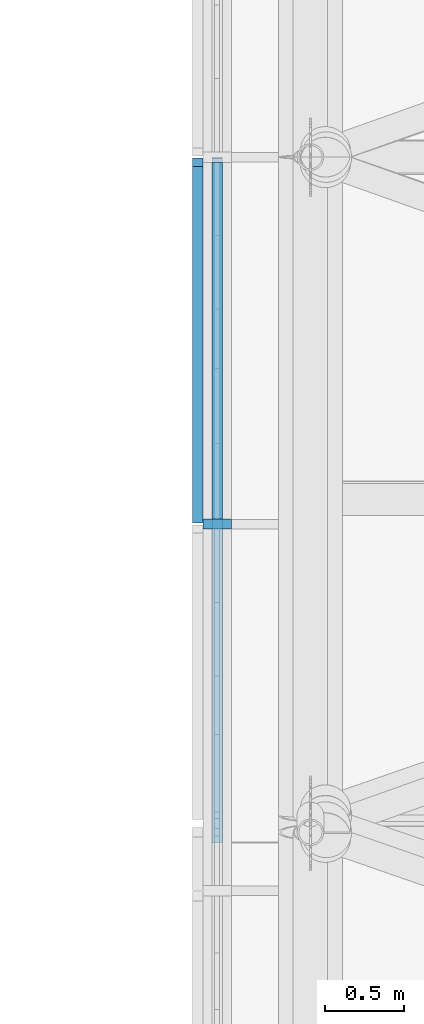
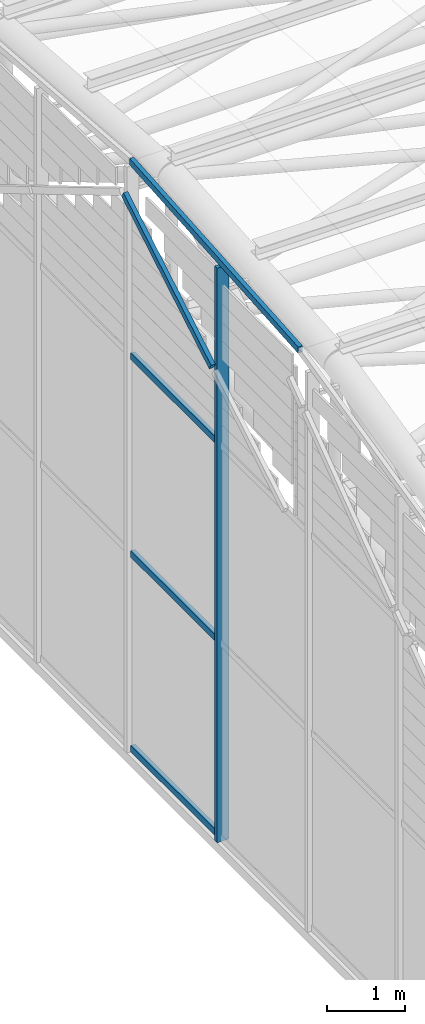
# One storey, part 9 of 110: 6 members, 1 element without a shape of its own.
"""IFC4 building model written with IfcOpenShell, lengths in metres."""

from ifc_helpers import new_model, si_unit, direction, frame, origin, origin_2d, place, context, subcontext, project, spatial, rectangle, extrude, material, layer, layer_set, material_profile, profile_set, type_object, element, aggregate, save


model = new_model("IFC4")

# Units and contexts
model_context = context("Model", 3, precision=1e-05, world=origin(), true_north=direction((0.0, 1.0)))
body_context = subcontext(model_context, "Body", "Model", "MODEL_VIEW")
ifc_project = project(units=[si_unit("LENGTHUNIT", "METRE"), si_unit("AREAUNIT", "SQUARE_METRE"), si_unit("VOLUMEUNIT", "CUBIC_METRE"), si_unit("PLANEANGLEUNIT", "RADIAN"), si_unit("MASSUNIT", "GRAM", prefix="KILO")], contexts=[model_context])

# Site, building, storey
site_placement = place(None, origin())
site = spatial("IfcSite", under=ifc_project, at=site_placement, CompositionType="ELEMENT")
building_placement = place(site_placement, origin())
building = spatial("IfcBuilding", under=site, at=building_placement, Name="Windward Yard Aquatics Centre", CompositionType="ELEMENT")
storey_placement = place(building_placement, frame((0.0, 0.0, 22.60009765625)))
storey = spatial("IfcBuildingStorey", under=building, at=storey_placement, Name="L05", CompositionType="ELEMENT", Elevation=22.60009765625)

# Curtain wall, members
ifc_material_1 = material(Name="Glass and aluminium curtain wall", Category="aluminium")
ifc_layer = layer(ifc_material_1, 0.179931640625)
ifc_layer_set = layer_set([ifc_layer], Name="H gable glazing system double glazed 8+16+8")
curtain_wall_type = type_object("IfcCurtainWallType", Name="H gable glazing system double glazed 8+16+8", PredefinedType="NOTDEFINED", material=ifc_layer_set)
curtain_wall_placement = place(storey_placement, origin())
curtain_wall = element("IfcCurtainWall", 1, at=curtain_wall_placement, inside=storey, type_object=curtain_wall_type, Name="Gable glazing W", PredefinedType="NOTDEFINED")
ifc_material_2 = material(Name="Aluminium 6063-T6 anodised", Category="aluminium")
ifc_material_profile_1 = material_profile(ifc_material_2, rectangle(XDim=0.06494140625, YDim=0.179931640625, at=origin_2d()), Name="H CW mullion 65x180")
ifc_profile_set_1 = profile_set([ifc_material_profile_1], Name="Aluminium 6063-T6 anodised")
member_type_1 = type_object("IfcMemberType", Name="H CW mullion 65x180", PredefinedType="MULLION", material=ifc_profile_set_1)
member_1_placement = place(storey_placement, frame((59.409912109375, 58.6806640625, 0.0), z_axis=(0.0, 0.0, 1.0), x_axis=(0.0, 1.0, 0.0)))
member_1 = element("IfcMember", 2, at=member_1_placement, type_object=member_type_1, Name="Gable mullion 9", PredefinedType="MULLION", context=body_context, shape_type="SweptSolid", body=[
    extrude(rectangle(XDim=0.06494140625, YDim=0.179931640625, at=origin_2d()), origin(), (0.0, 0.0, 1.0), 9.002685546875),
])
ifc_material_profile_2 = material_profile(ifc_material_2, rectangle(XDim=0.06494140625, YDim=0.10009765625, at=origin_2d()), Name="H CW transom 65x100")
ifc_profile_set_2 = profile_set([ifc_material_profile_2], Name="Aluminium 6063-T6 anodised")
member_type_2 = type_object("IfcMemberType", Name="H CW transom 65x100", PredefinedType="USERDEFINED", material=ifc_profile_set_2)
member_2_placement = place(storey_placement, frame((59.409912109375, 56.6689453125, 8.9013671875), z_axis=(0.0, 0.997081887747, 0.076339433631), x_axis=(-1.0, 0.0, 0.0)))
member_2 = element("IfcMember", 3, at=member_2_placement, type_object=member_type_2, Name="Gable head rail 5", ObjectType="TRANSOM", PredefinedType="USERDEFINED", context=body_context, shape_type="SweptSolid", body=[
    extrude(rectangle(XDim=0.06494140625, YDim=0.10009765625, at=origin_2d()), origin(), (0.0, 0.0, 1.0), 4.33984375),
])
member_3_placement = place(storey_placement, frame((59.409912109375, 58.71337890625, 0.0498046875), z_axis=(0.0, 1.0, 0.0), x_axis=(-1.0, 0.0, 0.0)))
member_3 = element("IfcMember", 4, at=member_3_placement, type_object=member_type_2, Name="Gable transom 9.1", ObjectType="TRANSOM", PredefinedType="USERDEFINED", context=body_context, shape_type="SweptSolid", body=[
    extrude(rectangle(XDim=0.06494140625, YDim=0.10009765625, at=origin_2d()), origin(), (0.0, 0.0, 1.0), 2.254150390625),
])
member_4_placement = place(storey_placement, frame((59.409912109375, 58.71337890625, 3.099853515625), z_axis=(0.0, 1.0, 0.0), x_axis=(-1.0, 0.0, 0.0)))
member_4 = element("IfcMember", 5, at=member_4_placement, type_object=member_type_2, Name="Gable transom 9.2", ObjectType="TRANSOM", PredefinedType="USERDEFINED", context=body_context, shape_type="SweptSolid", body=[
    extrude(rectangle(XDim=0.06494140625, YDim=0.10009765625, at=origin_2d()), origin(), (0.0, 0.0, 1.0), 2.254150390625),
])
member_5_placement = place(storey_placement, frame((59.409912109375, 58.71337890625, 6.199951171875), z_axis=(0.0, 1.0, 0.0), x_axis=(-1.0, 0.0, 0.0)))
member_5 = element("IfcMember", 6, at=member_5_placement, type_object=member_type_2, Name="Gable transom 9.3", ObjectType="TRANSOM", PredefinedType="USERDEFINED", context=body_context, shape_type="SweptSolid", body=[
    extrude(rectangle(XDim=0.06494140625, YDim=0.10009765625, at=origin_2d()), origin(), (0.0, 0.0, 1.0), 2.254150390625),
])
member_6_placement = place(storey_placement, frame((59.28759765625, 58.71337890625, 7.4375), z_axis=(0.0, 0.859613254044, 0.510945254868), x_axis=(-1.0, 0.0, 0.0)))
member_6 = element("IfcMember", 7, at=member_6_placement, type_object=member_type_2, Name="Gable cover strip 5.2", ObjectType="COVER STRIP", PredefinedType="USERDEFINED", context=body_context, shape_type="SweptSolid", body=[
    extrude(rectangle(XDim=0.06494140625, YDim=0.10009765625, at=origin_2d()), origin(), (0.0, 0.0, 1.0), 2.622314453125),
])
aggregate(curtain_wall, [member_1, member_2, member_3, member_4, member_5, member_6])

save(model, "model.ifc")
